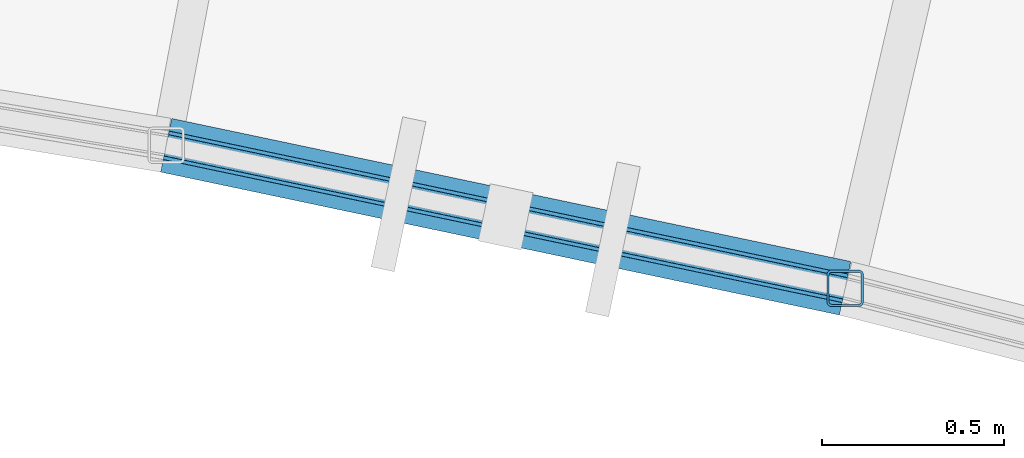
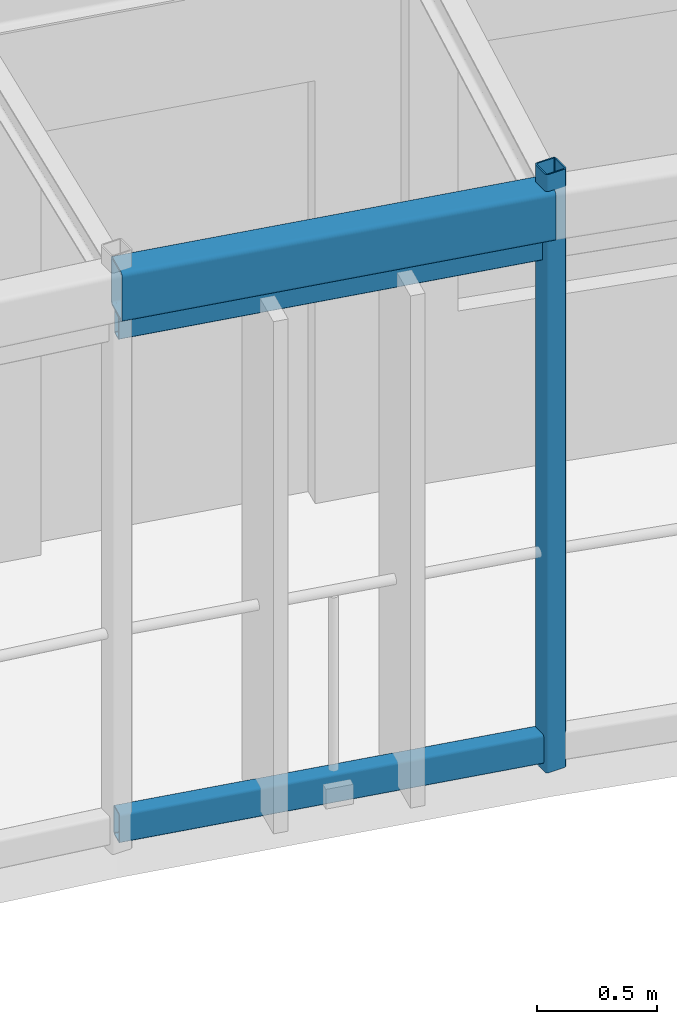
# One storey, part 46 of 123: 3 members, 1 beam.
"""IFC4 building model written with IfcOpenShell, lengths in metres."""

from ifc_helpers import new_model, si_unit, direction, frame, origin, origin_2d, place, context, subcontext, project, spatial, hollow_rectangle, extrude, material, material_profile, profile_set, type_object, element, save


model = new_model("IFC4")

# Units and contexts
model_context = context("Model", 3, precision=1e-05, world=origin(), true_north=direction((0.0, 1.0)))
body_context = subcontext(model_context, "Body", "Model", "MODEL_VIEW")
ifc_project = project(units=[si_unit("LENGTHUNIT", "METRE"), si_unit("AREAUNIT", "SQUARE_METRE"), si_unit("VOLUMEUNIT", "CUBIC_METRE"), si_unit("PLANEANGLEUNIT", "RADIAN"), si_unit("MASSUNIT", "GRAM", prefix="KILO"), si_unit("POWERUNIT", "WATT"), si_unit("THERMODYNAMICTEMPERATUREUNIT", "KELVIN")], contexts=[model_context])

# Site, building, storey
site_placement = place(None, origin())
site = spatial("IfcSite", under=ifc_project, at=site_placement, CompositionType="ELEMENT")
building_placement = place(site_placement, origin())
building = spatial("IfcBuilding", under=site, at=building_placement, Name="Ruvembo Vaulted Housing Court", CompositionType="ELEMENT")
storey_placement = place(building_placement, frame((0.0, 0.0, 7.699951171875)))
storey = spatial("IfcBuildingStorey", under=building, at=storey_placement, Name="L02", CompositionType="ELEMENT", Elevation=7.699951171875)

# Beam
ifc_material = material(Name="Steel S355J2", Category="steel")
ifc_material_profile_1 = material_profile(ifc_material, hollow_rectangle(XDim=0.14990234375, YDim=0.25, WallThickness=0.010009765625, InnerFilletRadius=0.010009765625, OuterFilletRadius=0.02001953125, at=origin_2d()), Name="RHS 250x150x10")
ifc_profile_set_1 = profile_set([ifc_material_profile_1], Name="Steel S355J2")
beam_type = type_object("IfcBeamType", Name="BM-ST-RHS250", PredefinedType="SPANDREL", material=ifc_profile_set_1)
beam_placement = place(storey_placement, frame((125.505615234375, 95.00341796875, 2.81494140625), z_axis=(0.978529342624, -0.206107558387, 0.0), x_axis=(0.206107558387, 0.978529342624, 0.0)))
element("IfcBeam", 1, at=beam_placement, inside=storey, type_object=beam_type, Name="Scoop SC3 L02 Balcony Edge Spandrel 19", PredefinedType="SPANDREL", context=body_context, shape_type="SweptSolid", body=[
    extrude(hollow_rectangle(XDim=0.14990234375, YDim=0.25, WallThickness=0.010009765625, InnerFilletRadius=0.010009765625, OuterFilletRadius=0.02001953125, at=origin_2d()), origin(), (0.0, 0.0, 1.0), 1.901123046875),
])

# Members
ifc_material_profile_2 = material_profile(ifc_material, hollow_rectangle(XDim=0.06005859375, YDim=0.1201171875, WallThickness=0.0048828125, InnerFilletRadius=0.0048828125, OuterFilletRadius=0.010009765625, at=origin_2d()), Name="RHS 120x60x5")
ifc_profile_set_2 = profile_set([ifc_material_profile_2], Name="Steel S355J2")
member_type_1 = type_object("IfcMemberType", Name="MEM-CAR-RHS120", PredefinedType="CHORD", material=ifc_profile_set_2)
member_1_placement = place(storey_placement, frame((125.505615234375, 95.00341796875, 2.633056640625), z_axis=(0.978529342624, -0.206107558387, 0.0), x_axis=(0.206107558387, 0.978529342624, 0.0)))
element("IfcMember", 2, at=member_1_placement, inside=storey, type_object=member_type_1, Name="Scoop SC3 L02 Upper Louvre Carrier Rail 19", PredefinedType="CHORD", context=body_context, shape_type="SweptSolid", body=[
    extrude(hollow_rectangle(XDim=0.06005859375, YDim=0.1201171875, WallThickness=0.0048828125, InnerFilletRadius=0.0048828125, OuterFilletRadius=0.010009765625, at=origin_2d()), origin(), (0.0, 0.0, 1.0), 1.901123046875),
])
ifc_material_profile_3 = material_profile(ifc_material, hollow_rectangle(XDim=0.080078125, YDim=0.14990234375, WallThickness=0.00634765625, InnerFilletRadius=0.00634765625, OuterFilletRadius=0.0126953125, at=origin_2d()), Name="RHS 150x80x6.3")
ifc_profile_set_3 = profile_set([ifc_material_profile_3], Name="Steel S355J2")
member_type_2 = type_object("IfcMemberType", Name="MEM-CAR-RHS150", PredefinedType="CHORD", material=ifc_profile_set_3)
member_2_placement = place(storey_placement, frame((125.505615234375, 95.00341796875, 0.094970703125), z_axis=(0.978529342624, -0.206107558387, 0.0), x_axis=(0.206107558387, 0.978529342624, 0.0)))
element("IfcMember", 3, at=member_2_placement, inside=storey, type_object=member_type_2, Name="Scoop SC3 L02 Lower Louvre Carrier Rail 19", PredefinedType="CHORD", context=body_context, shape_type="SweptSolid", body=[
    extrude(hollow_rectangle(XDim=0.080078125, YDim=0.14990234375, WallThickness=0.00634765625, InnerFilletRadius=0.00634765625, OuterFilletRadius=0.0126953125, at=origin_2d()), origin(), (0.0, 0.0, 1.0), 1.901123046875),
])
ifc_material_profile_4 = material_profile(ifc_material, hollow_rectangle(XDim=0.10009765625, YDim=0.10009765625, WallThickness=0.00634765625, InnerFilletRadius=0.00634765625, OuterFilletRadius=0.0126953125, at=origin_2d()), Name="SHS 100x100x6.3")
ifc_profile_set_4 = profile_set([ifc_material_profile_4], Name="Steel S355J2")
member_type_3 = type_object("IfcMemberType", Name="MEM-FRM-SHS100", PredefinedType="STRUT", material=ifc_profile_set_4)
member_3_placement = place(storey_placement, frame((127.365966796875, 94.611572265625, -0.014892578125), z_axis=(0.0, 0.0, 1.0), x_axis=(1.0, 0.0, 0.0)))
element("IfcMember", 4, at=member_3_placement, inside=storey, type_object=member_type_3, Name="Scoop SC3 L02 Louvre Frame Post 20", PredefinedType="STRUT", context=body_context, shape_type="SweptSolid", body=[
    extrude(hollow_rectangle(XDim=0.10009765625, YDim=0.10009765625, WallThickness=0.00634765625, InnerFilletRadius=0.00634765625, OuterFilletRadius=0.0126953125, at=origin_2d()), origin(), (0.0, 0.0, 1.0), 3.041015625),
])

save(model, "model.ifc")
